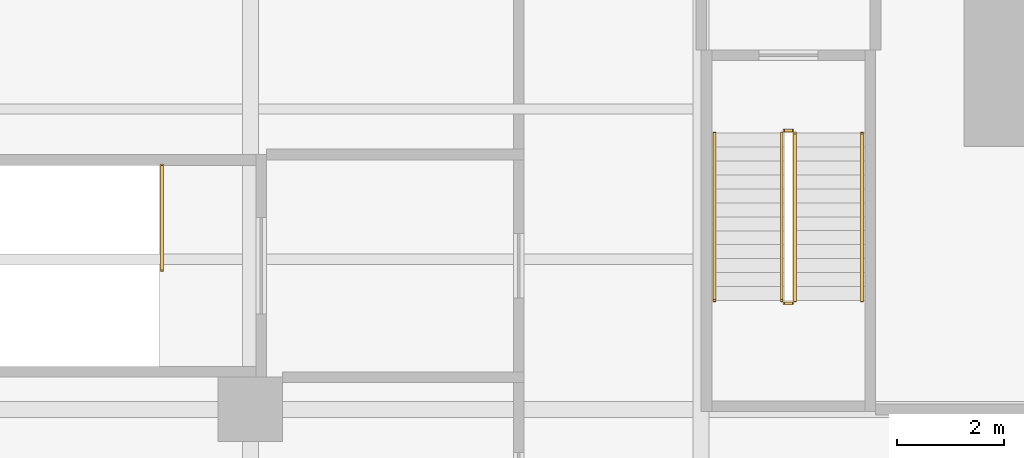
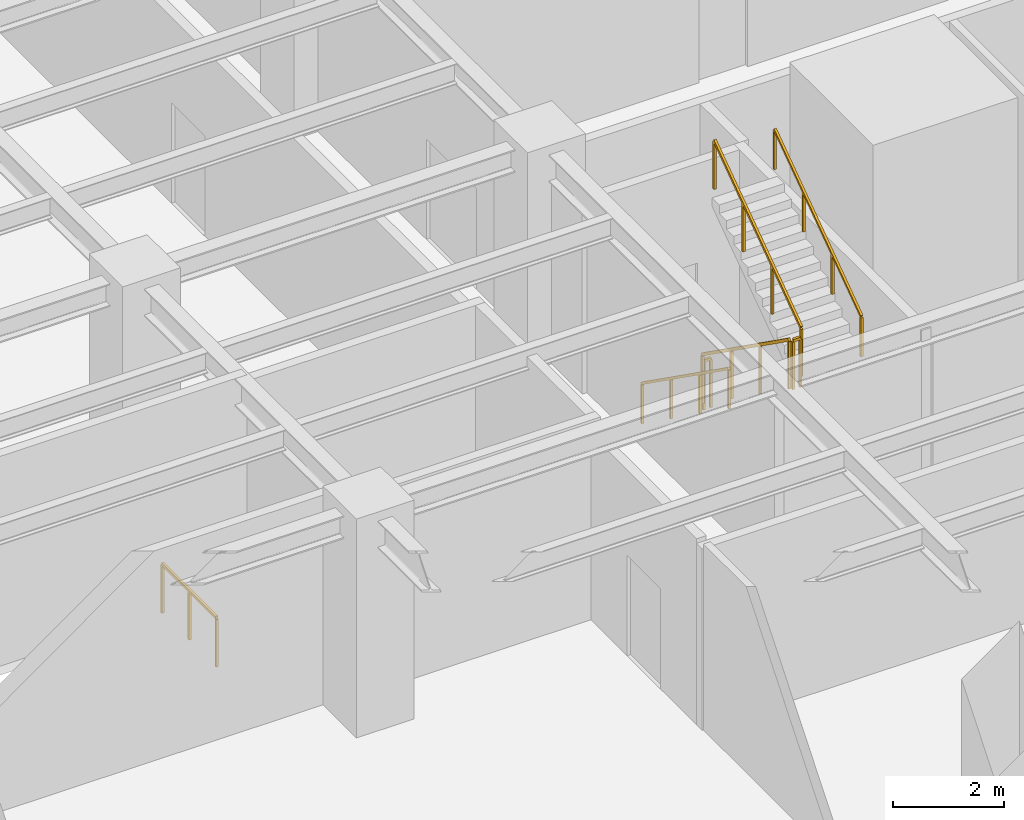
# One storey, part 46 of 53: 7 railings.
"""IFC4 building model written with IfcOpenShell, lengths in metres."""

from ifc_helpers import new_model, si_unit, direction, frame, origin, origin_2d, place, context, subcontext, project, spatial, rectangle, extrude, material, type_object, element, save


model = new_model("IFC4")

# Units and contexts
model_context = context("Model", 3, precision=1e-05, world=origin(), true_north=direction((0.0, 1.0)))
body_context = subcontext(model_context, "Body", "Model", "MODEL_VIEW")
ifc_project = project(units=[si_unit("LENGTHUNIT", "METRE"), si_unit("AREAUNIT", "SQUARE_METRE"), si_unit("VOLUMEUNIT", "CUBIC_METRE"), si_unit("PLANEANGLEUNIT", "RADIAN"), si_unit("MASSUNIT", "GRAM", prefix="KILO")], contexts=[model_context])

# Site, building, storey
site_placement = place(None, origin())
site = spatial("IfcSite", under=ifc_project, at=site_placement, CompositionType="ELEMENT")
building_placement = place(site_placement, origin())
building = spatial("IfcBuilding", under=site, at=building_placement, Name="Khepri Terraces", CompositionType="ELEMENT")
storey_placement = place(building_placement, frame((0.0, 0.0, 7.199951171875)))
storey = spatial("IfcBuildingStorey", under=building, at=storey_placement, Name="L01", CompositionType="ELEMENT", Elevation=7.199951171875)

# Railings
ifc_material = material(Name="Stainless steel 316", Category="steel")
railing_type_1 = type_object("IfcRailingType", Name="RL-POD-GUARD", PredefinedType="GUARDRAIL", material=ifc_material)
railing_1_placement = place(storey_placement, frame((-23.699951171875, -20.050048828125, 0.1845703125)))
element("IfcRailing", 1, at=railing_1_placement, inside=storey, type_object=railing_type_1, Name="L01 PS-4 stair guard 1", PredefinedType="GUARDRAIL", context=body_context, shape_type="SweptSolid", body=[
    extrude(rectangle(XDim=0.050048828125, YDim=0.06005859375, at=origin_2d()), frame((0.0, 0.0, 1.070068359375), z_axis=(0.0, -0.815325456587, 0.579002935952), x_axis=(1.0, 0.0, 0.0)), (0.0, 0.0, 1.0), 3.826416015625),
    extrude(rectangle(XDim=0.050048828125, YDim=0.050048828125, at=origin_2d()), origin(), (0.0, 0.0, 1.0), 1.0400390625),
    extrude(rectangle(XDim=0.050048828125, YDim=0.050048828125, at=origin_2d()), frame((0.0, -1.0400390625, 0.738525390625)), (0.0, 0.0, 1.0), 1.0400390625),
    extrude(rectangle(XDim=0.050048828125, YDim=0.050048828125, at=origin_2d()), frame((0.0, -2.079833984375, 1.47705078125)), (0.0, 0.0, 1.0), 1.0400390625),
    extrude(rectangle(XDim=0.050048828125, YDim=0.050048828125, at=origin_2d()), frame((0.0, -3.119873046875, 2.215576171875)), (0.0, 0.0, 1.0), 1.0400390625),
])
railing_2_placement = place(storey_placement, frame((-23.64990234375, -23.219970703125, 2.400146484375)))
element("IfcRailing", 2, at=railing_2_placement, inside=storey, type_object=railing_type_1, Name="L01 PS-4 stair guard 2", PredefinedType="GUARDRAIL", context=body_context, shape_type="SweptSolid", body=[
    extrude(rectangle(XDim=0.050048828125, YDim=0.06005859375, at=origin_2d()), frame((0.0, 0.0, 1.070068359375), z_axis=(1.0, 0.0, 0.0), x_axis=(0.0, 1.0, 0.0)), (0.0, 0.0, 1.0), 0.14990234375),
    extrude(rectangle(XDim=0.050048828125, YDim=0.050048828125, at=origin_2d()), origin(), (0.0, 0.0, 1.0), 1.0400390625),
    extrude(rectangle(XDim=0.050048828125, YDim=0.050048828125, at=origin_2d()), frame((0.14990234375, 0.0, 0.0)), (0.0, 0.0, 1.0), 1.0400390625),
])
railing_3_placement = place(storey_placement, frame((-23.449951171875, -23.169921875, 2.584716796875)))
element("IfcRailing", 3, at=railing_3_placement, inside=storey, type_object=railing_type_1, Name="L01 PS-4 stair guard 3", PredefinedType="GUARDRAIL", context=body_context, shape_type="SweptSolid", body=[
    extrude(rectangle(XDim=0.050048828125, YDim=0.06005859375, at=origin_2d()), frame((0.0, 0.0, 1.070068359375), z_axis=(0.0, 0.815355575968, 0.57896052088), x_axis=(-1.0, 0.0, 0.0)), (0.0, 0.0, 1.0), 3.826416015625),
    extrude(rectangle(XDim=0.050048828125, YDim=0.050048828125, at=origin_2d()), origin(), (0.0, 0.0, 1.0), 1.0400390625),
    extrude(rectangle(XDim=0.050048828125, YDim=0.050048828125, at=origin_2d()), frame((0.0, 1.0400390625, 0.738525390625)), (0.0, 0.0, 1.0), 1.0400390625),
    extrude(rectangle(XDim=0.050048828125, YDim=0.050048828125, at=origin_2d()), frame((0.0, 2.079833984375, 1.476806640625)), (0.0, 0.0, 1.0), 1.0400390625),
    extrude(rectangle(XDim=0.050048828125, YDim=0.050048828125, at=origin_2d()), frame((0.0, 3.119873046875, 2.21533203125)), (0.0, 0.0, 1.0), 1.0400390625),
])
railing_4_placement = place(storey_placement, frame((-23.64990234375, -20.0, 0.0)))
element("IfcRailing", 4, at=railing_4_placement, inside=storey, type_object=railing_type_1, Name="L01 PS-4 stair guard 4", PredefinedType="GUARDRAIL", context=body_context, shape_type="SweptSolid", body=[
    extrude(rectangle(XDim=0.050048828125, YDim=0.06005859375, at=origin_2d()), frame((0.0, 0.0, 1.070068359375), z_axis=(1.0, 0.0, 0.0), x_axis=(0.0, 1.0, 0.0)), (0.0, 0.0, 1.0), 0.14990234375),
    extrude(rectangle(XDim=0.050048828125, YDim=0.050048828125, at=origin_2d()), origin(), (0.0, 0.0, 1.0), 1.0400390625),
    extrude(rectangle(XDim=0.050048828125, YDim=0.050048828125, at=origin_2d()), frame((0.14990234375, 0.0, 0.0)), (0.0, 0.0, 1.0), 1.0400390625),
])
railing_5_placement = place(storey_placement, frame((-35.25, -20.64990234375, 0.0)))
element("IfcRailing", 5, at=railing_5_placement, inside=storey, type_object=railing_type_1, Name="L01 PS-7 top well guard 1", PredefinedType="GUARDRAIL", context=body_context, shape_type="SweptSolid", body=[
    extrude(rectangle(XDim=0.050048828125, YDim=0.06005859375, at=origin_2d()), frame((0.0, 0.0, 1.070068359375), z_axis=(0.0, -1.0, 0.0), x_axis=(1.0, 0.0, 0.0)), (0.0, 0.0, 1.0), 1.9501953125),
    extrude(rectangle(XDim=0.050048828125, YDim=0.050048828125, at=origin_2d()), origin(), (0.0, 0.0, 1.0), 1.0400390625),
    extrude(rectangle(XDim=0.050048828125, YDim=0.050048828125, at=origin_2d()), frame((0.0, -0.97509765625, 0.0)), (0.0, 0.0, 1.0), 1.0400390625),
    extrude(rectangle(XDim=0.050048828125, YDim=0.050048828125, at=origin_2d()), frame((0.0, -1.9501953125, 0.0)), (0.0, 0.0, 1.0), 1.0400390625),
])
railing_type_2 = type_object("IfcRailingType", Name="RL-POD-HANDRAIL", PredefinedType="HANDRAIL", material=ifc_material)
railing_6_placement = place(storey_placement, frame((-24.949951171875, -20.050048828125, 0.1845703125)))
element("IfcRailing", 6, at=railing_6_placement, inside=storey, type_object=railing_type_2, Name="L01 PS-4 stair handrail 1", PredefinedType="HANDRAIL", context=body_context, shape_type="SweptSolid", body=[
    extrude(rectangle(XDim=0.050048828125, YDim=0.050048828125, at=origin_2d()), frame((0.0, 0.0, 0.875), z_axis=(0.0, -0.815325456587, 0.579002935952), x_axis=(1.0, 0.0, 0.0)), (0.0, 0.0, 1.0), 3.826416015625),
    extrude(rectangle(XDim=0.050048828125, YDim=0.050048828125, at=origin_2d()), origin(), (0.0, 0.0, 1.0), 0.849853515625),
    extrude(rectangle(XDim=0.050048828125, YDim=0.050048828125, at=origin_2d()), frame((0.0, -1.0400390625, 0.738525390625)), (0.0, 0.0, 1.0), 0.849853515625),
    extrude(rectangle(XDim=0.050048828125, YDim=0.050048828125, at=origin_2d()), frame((0.0, -2.079833984375, 1.47705078125)), (0.0, 0.0, 1.0), 0.849853515625),
    extrude(rectangle(XDim=0.050048828125, YDim=0.050048828125, at=origin_2d()), frame((0.0, -3.119873046875, 2.215576171875)), (0.0, 0.0, 1.0), 0.849853515625),
])
railing_7_placement = place(storey_placement, frame((-22.199951171875, -23.169921875, 2.584716796875)))
element("IfcRailing", 7, at=railing_7_placement, inside=storey, type_object=railing_type_2, Name="L01 PS-4 stair handrail 2", PredefinedType="HANDRAIL", context=body_context, shape_type="SweptSolid", body=[
    extrude(rectangle(XDim=0.050048828125, YDim=0.050048828125, at=origin_2d()), frame((0.0, 0.0, 0.875), z_axis=(0.0, 0.815355575968, 0.57896052088), x_axis=(-1.0, 0.0, 0.0)), (0.0, 0.0, 1.0), 3.826416015625),
    extrude(rectangle(XDim=0.050048828125, YDim=0.050048828125, at=origin_2d()), origin(), (0.0, 0.0, 1.0), 0.849853515625),
    extrude(rectangle(XDim=0.050048828125, YDim=0.050048828125, at=origin_2d()), frame((0.0, 1.0400390625, 0.738525390625)), (0.0, 0.0, 1.0), 0.849853515625),
    extrude(rectangle(XDim=0.050048828125, YDim=0.050048828125, at=origin_2d()), frame((0.0, 2.079833984375, 1.476806640625)), (0.0, 0.0, 1.0), 0.849853515625),
    extrude(rectangle(XDim=0.050048828125, YDim=0.050048828125, at=origin_2d()), frame((0.0, 3.119873046875, 2.21533203125)), (0.0, 0.0, 1.0), 0.849853515625),
])

save(model, "model.ifc")
